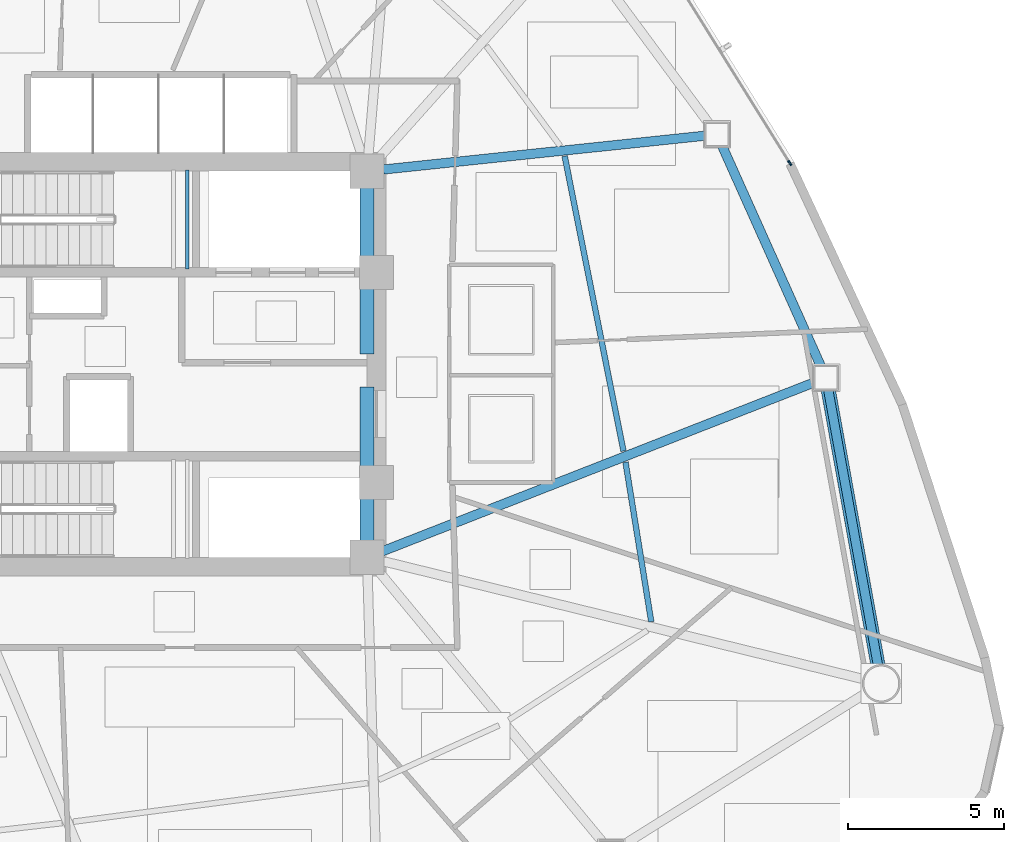
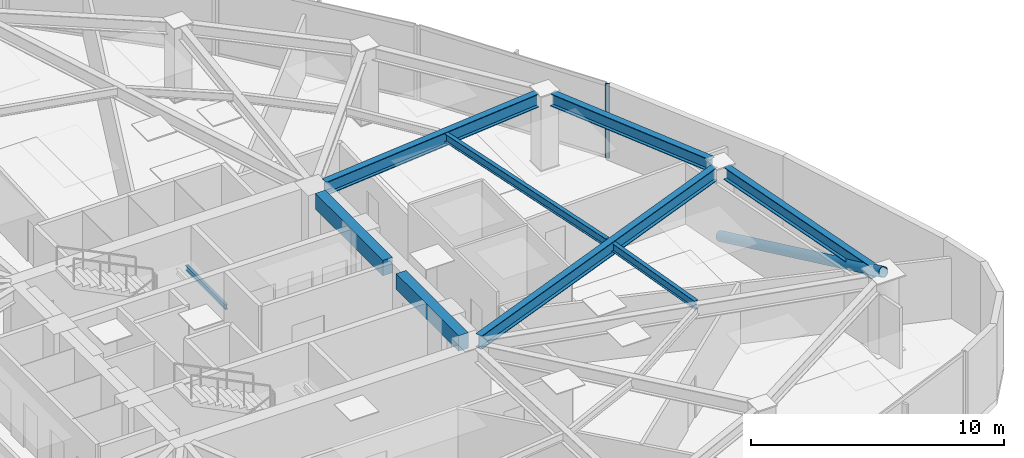
# One storey, part 7 of 18: 9 beams, 2 members, 1 element without a shape of its own.
"""IFC4 building model written with IfcOpenShell, lengths in metres."""

from ifc_helpers import new_model, si_unit, direction, frame, origin, origin_2d, place, context, subcontext, project, spatial, rectangle, hollow_rectangle, hollow_circle, i_section, extrude, source, transform, mapped, material, layer, layer_set, material_profile, profile_set, type_object, type_shapes, element, aggregate, save


model = new_model("IFC4")

# Units and contexts
model_context = context("Model", 3, precision=1e-05, world=origin(), true_north=direction((0.0, 1.0)))
body_context = subcontext(model_context, "Body", "Model", "MODEL_VIEW")
ifc_project = project(units=[si_unit("LENGTHUNIT", "METRE"), si_unit("AREAUNIT", "SQUARE_METRE"), si_unit("VOLUMEUNIT", "CUBIC_METRE"), si_unit("PLANEANGLEUNIT", "RADIAN"), si_unit("MASSUNIT", "GRAM", prefix="KILO")], contexts=[model_context])

# Site, building, storey
site_placement = place(None, origin())
site = spatial("IfcSite", under=ifc_project, at=site_placement, CompositionType="ELEMENT")
building_placement = place(site_placement, origin())
building = spatial("IfcBuilding", under=site, at=building_placement, Name="Tavelor Broadcast Tower", CompositionType="ELEMENT")
storey_placement = place(building_placement, frame((0.0, 0.0, 47.10009765625)))
storey = spatial("IfcBuildingStorey", under=building, at=storey_placement, Name="L10", CompositionType="ELEMENT", Elevation=47.10009765625)

# Beams
ifc_material_1 = material(Name="Concrete C40/50", Category="concrete")
ifc_material_profile_1 = material_profile(ifc_material_1, rectangle(XDim=0.449951171875, YDim=0.75, at=origin_2d()), Name="RC 450x750")
ifc_profile_set_1 = profile_set([ifc_material_profile_1], Name="Concrete C40/50")
beam_type_1 = type_object("IfcBeamType", Name="Basement Core Trim Beam 450x750", PredefinedType="BEAM", material=ifc_profile_set_1)
beam_1_placement = place(storey_placement, frame((56.60009765625, 45.327880859375, 3.224853515625), z_axis=(0.0, 1.0, 0.0), x_axis=(-1.0, 0.0, 0.0)))
element("IfcBeam", 1, at=beam_1_placement, inside=storey, type_object=beam_type_1, Name="L10 Core East-N Tie Girder", PredefinedType="BEAM", context=body_context, shape_type="SweptSolid", body=[
    extrude(rectangle(XDim=0.449951171875, YDim=0.75, at=origin_2d()), origin(), (0.0, 0.0, 1.0), 5.34423828125),
])
beam_2_placement = place(storey_placement, frame((56.60009765625, 39.327880859375, 3.224853515625), z_axis=(0.0, 1.0, 0.0), x_axis=(-1.0, 0.0, 0.0)))
element("IfcBeam", 2, at=beam_2_placement, inside=storey, type_object=beam_type_1, Name="L10 Core East-S Tie Girder", PredefinedType="BEAM", context=body_context, shape_type="SweptSolid", body=[
    extrude(rectangle(XDim=0.449951171875, YDim=0.75, at=origin_2d()), origin(), (0.0, 0.0, 1.0), 4.944091796875),
])
ifc_material_2 = material(Name="Steel S355", Category="steel")
ifc_material_profile_2 = material_profile(ifc_material_2, i_section(OverallWidth=0.179931640625, OverallDepth=0.39990234375, WebThickness=0.008544921875, FlangeThickness=0.013427734375, at=origin_2d()), Name="IPE 400")
ifc_profile_set_2 = profile_set([ifc_material_profile_2], Name="Steel S355")
beam_type_2 = type_object("IfcBeamType", Name="Composite Floor Joist T1 IPE 400", PredefinedType="JOIST", material=ifc_profile_set_2)
beam_3_placement = place(storey_placement, frame((65.728515625, 36.72998046875, 3.39990234375), z_axis=(-0.159264963379, 0.987235874267, 0.0), x_axis=(-0.987235874267, -0.159264963379, 0.0)))
element("IfcBeam", 3, at=beam_3_placement, inside=storey, type_object=beam_type_2, Name="L10 Secondary Composite Floor Joist 13", PredefinedType="JOIST", context=body_context, shape_type="SweptSolid", body=[
    extrude(i_section(OverallWidth=0.179931640625, OverallDepth=0.39990234375, WebThickness=0.008544921875, FlangeThickness=0.013427734375, at=origin_2d()), origin(), (0.0, 0.0, 1.0), 5.19189453125),
])
beam_4_placement = place(storey_placement, frame((64.83740234375, 42.2119140625, 3.39990234375), z_axis=(-0.195615567929, 0.980680656271, 0.0), x_axis=(-0.980680656271, -0.195615567929, 0.0)))
element("IfcBeam", 4, at=beam_4_placement, inside=storey, type_object=beam_type_2, Name="L10 Secondary Composite Floor Joist 14", PredefinedType="JOIST", context=body_context, shape_type="SweptSolid", body=[
    extrude(i_section(OverallWidth=0.179931640625, OverallDepth=0.39990234375, WebThickness=0.008544921875, FlangeThickness=0.013427734375, at=origin_2d()), origin(), (0.0, 0.0, 1.0), 9.661376953125),
])
ifc_material_profile_3 = material_profile(ifc_material_2, i_section(OverallWidth=0.300048828125, OverallDepth=0.60009765625, WebThickness=0.015380859375, FlangeThickness=0.030029296875, at=origin_2d()), Name="HEB 600")
ifc_profile_set_3 = profile_set([ifc_material_profile_3], Name="Steel S355")
beam_type_3 = type_object("IfcBeamType", Name="Perimeter Spandrel Beam T1 HEB 600", PredefinedType="SPANDREL", material=ifc_profile_set_3)
beam_5_placement = place(storey_placement, frame((73.013916015625, 35.31982421875, 3.2998046875), z_axis=(-0.177745578839, 0.984076475282, 0.0), x_axis=(-0.984076475282, -0.177745578839, 0.0)))
element("IfcBeam", 5, at=beam_5_placement, inside=storey, type_object=beam_type_3, Name="L10 Framed-Tube Ring Spandrel 13", PredefinedType="SPANDREL", context=body_context, shape_type="SweptSolid", body=[
    extrude(i_section(OverallWidth=0.300048828125, OverallDepth=0.60009765625, WebThickness=0.015380859375, FlangeThickness=0.030029296875, at=origin_2d()), origin(), (0.0, 0.0, 1.0), 9.010498046875),
])
beam_6_placement = place(storey_placement, frame((71.18701171875, 44.9150390625, 3.2998046875), z_axis=(-0.40892197507, 0.912569349861, 0.0), x_axis=(-0.912569349861, -0.40892197507, 0.0)))
element("IfcBeam", 6, at=beam_6_placement, inside=storey, type_object=beam_type_3, Name="L10 Framed-Tube Ring Spandrel 14", PredefinedType="SPANDREL", context=body_context, shape_type="SweptSolid", body=[
    extrude(i_section(OverallWidth=0.300048828125, OverallDepth=0.60009765625, WebThickness=0.015380859375, FlangeThickness=0.030029296875, at=origin_2d()), origin(), (0.0, 0.0, 1.0), 7.799072265625),
])

# Member
ifc_material_profile_4 = material_profile(ifc_material_2, hollow_circle(Radius=0.228515625, WallThickness=0.02001953125, at=origin_2d()), Name="CHS 457x20")
ifc_profile_set_4 = profile_set([ifc_material_profile_4], Name="Steel S355")
member_type_1 = type_object("IfcMemberType", Name="Perimeter Tube Brace T1 CHS 457x20", PredefinedType="BRACE", material=ifc_profile_set_4)
member_1_placement = place(storey_placement, frame((71.343994140625, 44.564697265625, 0.0), z_axis=(0.167207286332, -0.925692306634, 0.339316190059), x_axis=(0.984075144607, 0.177752945874, 0.0)))
element("IfcMember", 7, at=member_1_placement, inside=storey, type_object=member_type_1, Name="L10 Corner Tube Diagonal Brace 3", PredefinedType="BRACE", context=body_context, shape_type="SweptSolid", body=[
    extrude(hollow_circle(Radius=0.228515625, WallThickness=0.02001953125, at=origin_2d()), origin(), (0.0, 0.0, 1.0), 10.609130859375),
])

# Beams
ifc_material_profile_5 = material_profile(ifc_material_2, i_section(OverallWidth=0.300048828125, OverallDepth=0.64990234375, WebThickness=0.01611328125, FlangeThickness=0.031005859375, at=origin_2d()), Name="HEB 650")
ifc_profile_set_5 = profile_set([ifc_material_profile_5], Name="Steel S355")
beam_type_4 = type_object("IfcBeamType", Name="Radial Floor Girder T1 HEB 650", PredefinedType="BEAM", material=ifc_profile_set_5)
beam_7_placement = place(storey_placement, frame((57.091796875, 38.9921875, 3.27490234375), z_axis=(0.931344390249, 0.364139570429, 0.0), x_axis=(-0.364139570429, 0.931344390249, 0.0)))
element("IfcBeam", 8, at=beam_7_placement, inside=storey, type_object=beam_type_4, Name="L10 Radial Primary Floor Girder 14", PredefinedType="BEAM", context=body_context, shape_type="SweptSolid", body=[
    extrude(i_section(OverallWidth=0.300048828125, OverallDepth=0.64990234375, WebThickness=0.01611328125, FlangeThickness=0.031005859375, at=origin_2d()), origin(), (0.0, 0.0, 1.0), 14.9189453125),
])
beam_8_placement = place(storey_placement, frame((57.125, 51.255126953125, 3.27490234375), z_axis=(0.994511502262, 0.104627299822, 0.0), x_axis=(-0.104627299822, 0.994511502262, 0.0)))
element("IfcBeam", 9, at=beam_8_placement, inside=storey, type_object=beam_type_4, Name="L10 Radial Primary Floor Girder 15", PredefinedType="BEAM", context=body_context, shape_type="SweptSolid", body=[
    extrude(i_section(OverallWidth=0.300048828125, OverallDepth=0.64990234375, WebThickness=0.01611328125, FlangeThickness=0.031005859375, at=origin_2d()), origin(), (0.0, 0.0, 1.0), 10.390869140625),
])
ifc_material_profile_6 = material_profile(ifc_material_2, i_section(OverallWidth=0.1201171875, OverallDepth=0.239990234375, WebThickness=0.006103515625, FlangeThickness=0.009765625, at=origin_2d()), Name="IPE 240")
ifc_profile_set_6 = profile_set([ifc_material_profile_6], Name="Steel S355")
beam_type_5 = type_object("IfcBeamType", Name="Stairwell Landing Support Trimmer Beam IPE240", PredefinedType="BEAM", material=ifc_profile_set_6)
beam_9_placement = place(storey_placement, frame((50.824951171875, 48.06005859375, 1.635009765625), z_axis=(0.0, 1.0, 0.0), x_axis=(-1.0, 0.0, 0.0)))
element("IfcBeam", 10, at=beam_9_placement, inside=storey, type_object=beam_type_5, Name="L10 Stair Landing Support Beam 46", PredefinedType="BEAM", context=body_context, shape_type="SweptSolid", body=[
    extrude(i_section(OverallWidth=0.1201171875, OverallDepth=0.239990234375, WebThickness=0.006103515625, FlangeThickness=0.009765625, at=origin_2d()), origin(), (0.0, 0.0, 1.0), 3.179931640625),
])

# Curtain wall, member
ifc_material_3 = material(Name="Architectural Anodized Aluminium", Category="aluminium")
ifc_layer = layer(ifc_material_3, 0.179931640625)
ifc_layer_set = layer_set([ifc_layer], Name="Architectural Anodized Aluminium")
curtain_wall_type = type_object("IfcCurtainWallType", Name="Tower Low-Zone Unitised Curtain Wall CW02", PredefinedType="NOTDEFINED", material=ifc_layer_set)
curtain_wall_placement = place(storey_placement, origin())
curtain_wall = element("IfcCurtainWall", 11, at=curtain_wall_placement, inside=storey, type_object=curtain_wall_type, Name="L10 Curtain Wall CW02 Run 81", PredefinedType="NOTDEFINED")
ifc_material_profile_7 = material_profile(ifc_material_3, hollow_rectangle(XDim=0.06494140625, YDim=0.179931640625, WallThickness=0.02197265625, at=origin_2d()), Name="RHS 65x180x22")
ifc_profile_set_7 = profile_set([ifc_material_profile_7], Name="Architectural Anodized Aluminium")
member_type_2 = type_object("IfcMemberType", Name="CW02 Extruded Aluminium Mullion 65x180", PredefinedType="MULLION", material=ifc_profile_set_7)
shared_shape = source(origin(), body_context, "Body", "SweptSolid", [
    extrude(hollow_rectangle(XDim=0.06494140625, YDim=0.179931640625, WallThickness=0.02197265625, at=origin_2d()), origin(), (0.0, 0.0, 1.0), 3.599853515625),
])
type_shapes(member_type_2, [shared_shape])
member_2_placement = place(storey_placement, frame((70.175537109375, 51.466064453125, 0.0), z_axis=(0.0, 0.0, 1.0), x_axis=(-0.848739264811, -0.528811554684, 0.0)))
member_2 = element("IfcMember", 12, at=member_2_placement, type_object=member_type_2, Name="CW02 mullion 1", PredefinedType="MULLION", context=body_context, shape_type="MappedRepresentation", body=[
    mapped(shared_shape, transform((0.0, 0.0, 0.0), scale=1.0)),
])
aggregate(curtain_wall, [member_2])

save(model, "model.ifc")
